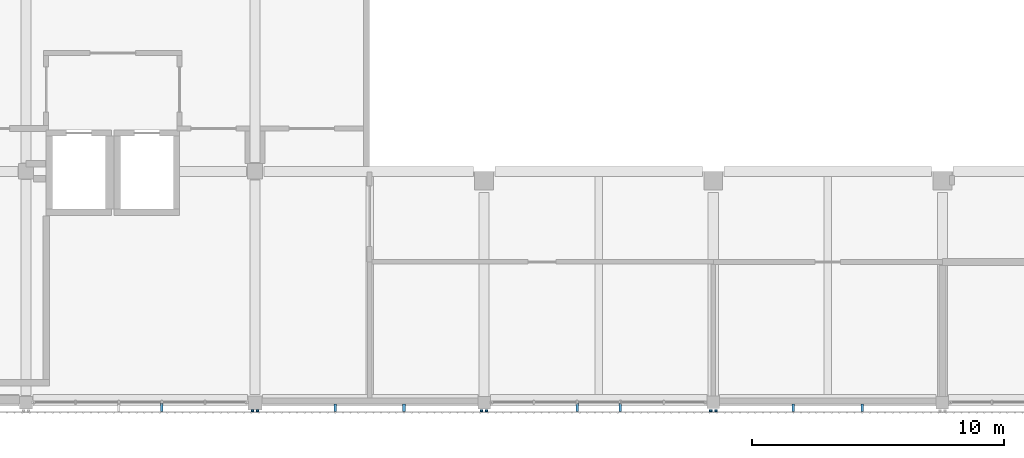
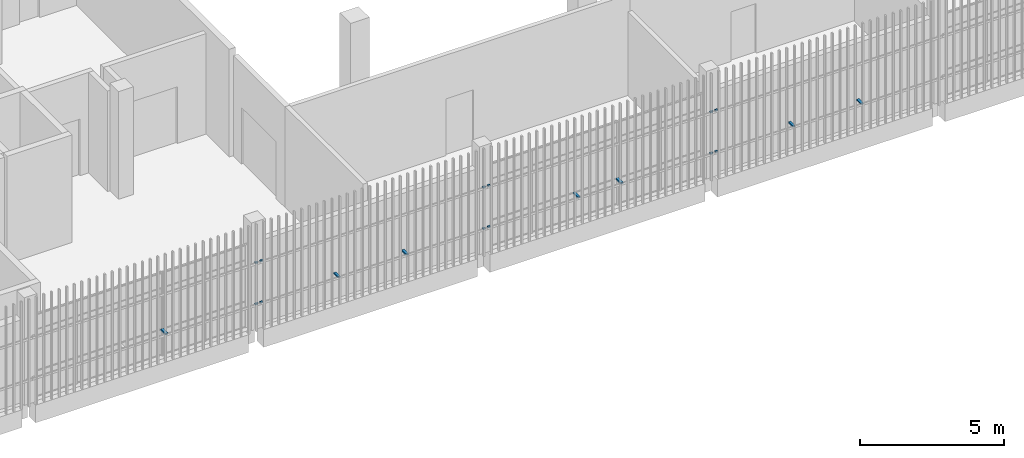
# One storey, part 89 of 124: 19 discrete accessories.
"""IFC4 building model written with IfcOpenShell, lengths in metres."""

from ifc_helpers import new_model, si_unit, direction, frame, origin, origin_2d, place, context, subcontext, project, spatial, rectangle, extrude, material, type_object, element, save


model = new_model("IFC4")

# Units and contexts
model_context = context("Model", 3, precision=1e-05, world=origin(), true_north=direction((0.0, 1.0)))
body_context = subcontext(model_context, "Body", "Model", "MODEL_VIEW")
ifc_project = project(units=[si_unit("LENGTHUNIT", "METRE"), si_unit("AREAUNIT", "SQUARE_METRE"), si_unit("VOLUMEUNIT", "CUBIC_METRE"), si_unit("PLANEANGLEUNIT", "RADIAN"), si_unit("MASSUNIT", "GRAM", prefix="KILO")], contexts=[model_context])

# Site, building, storey
site_placement = place(None, origin())
site = spatial("IfcSite", under=ifc_project, at=site_placement, CompositionType="ELEMENT")
building_placement = place(site_placement, origin())
building = spatial("IfcBuilding", under=site, at=building_placement, Name="Shirokan Park Arena", CompositionType="ELEMENT")
storey_placement = place(building_placement, frame((0.0, 0.0, 20.02001953125)))
storey = spatial("IfcBuildingStorey", under=building, at=storey_placement, Name="L04", CompositionType="ELEMENT", Elevation=20.02001953125)

# Discrete accessories
ifc_material = material(Name="Steel S355", Category="steel")
discrete_accessory_type = type_object("IfcDiscreteAccessoryType", Name="Veil bracket 100x60", PredefinedType="BRACKET", material=ifc_material)
for number, where, z_axis, x_axis, name in (
    (1, (36.300048828125, -0.409912109375, 1.070068359375), (0.0, 0.0, 1.0), (1.0, 0.0, 0.0), "Veil bracket south bay 4 L04 2"),
    (2, (36.300048828125, -0.409912109375, 2.820068359375), (0.0, 0.0, 1.0), (1.0, 0.0, 0.0), "Veil bracket south bay 4 L04 4"),
):
    element("IfcDiscreteAccessory", number, at=place(storey_placement, frame(where, z_axis=z_axis, x_axis=x_axis)), inside=storey, type_object=discrete_accessory_type, Name=name, PredefinedType="BRACKET", context=body_context, shape_type="SweptSolid", body=[
        extrude(rectangle(XDim=0.10009765625, YDim=0.070068359375, at=origin_2d()), origin(), (0.0, 0.0, 1.0), 0.06005859375),
    ])
discrete_accessory_placement = place(storey_placement, frame((32.695068359375, -0.2724609375, 1.070068359375), z_axis=(0.0, 0.0, 1.0), x_axis=(1.0, 0.0, 0.0)))
element("IfcDiscreteAccessory", 3, at=discrete_accessory_placement, inside=storey, type_object=discrete_accessory_type, Name="Veil bracket south bay 4 L04 wall 2", PredefinedType="BRACKET", context=body_context, shape_type="SweptSolid", body=[
    extrude(rectangle(XDim=0.10009765625, YDim=0.344970703125, at=origin_2d()), origin(), (0.0, 0.0, 1.0), 0.06005859375),
])
for number, where, z_axis, x_axis, name in (
    (4, (36.5, -0.409912109375, 1.070068359375), (0.0, 0.0, 1.0), (1.0, 0.0, 0.0), "Veil bracket south bay 5 L04 1"),
    (5, (45.39990234375, -0.409912109375, 1.070068359375), (0.0, 0.0, 1.0), (1.0, 0.0, 0.0), "Veil bracket south bay 5 L04 2"),
    (6, (36.5, -0.409912109375, 2.820068359375), (0.0, 0.0, 1.0), (1.0, 0.0, 0.0), "Veil bracket south bay 5 L04 3"),
    (7, (45.39990234375, -0.409912109375, 2.820068359375), (0.0, 0.0, 1.0), (1.0, 0.0, 0.0), "Veil bracket south bay 5 L04 4"),
):
    element("IfcDiscreteAccessory", number, at=place(storey_placement, frame(where, z_axis=z_axis, x_axis=x_axis)), inside=storey, type_object=discrete_accessory_type, Name=name, PredefinedType="BRACKET", context=body_context, shape_type="SweptSolid", body=[
        extrude(rectangle(XDim=0.10009765625, YDim=0.070068359375, at=origin_2d()), origin(), (0.0, 0.0, 1.0), 0.06005859375),
    ])
for number, where, z_axis, x_axis, name in (
    (8, (39.5849609375, -0.297607421875, 1.070068359375), (0.0, 0.0, 1.0), (1.0, 0.0, 0.0), "Veil bracket south bay 5 L04 wall 1"),
    (9, (42.31494140625, -0.297607421875, 1.070068359375), (0.0, 0.0, 1.0), (1.0, 0.0, 0.0), "Veil bracket south bay 5 L04 wall 2"),
):
    element("IfcDiscreteAccessory", number, at=place(storey_placement, frame(where, z_axis=z_axis, x_axis=x_axis)), inside=storey, type_object=discrete_accessory_type, Name=name, PredefinedType="BRACKET", context=body_context, shape_type="SweptSolid", body=[
        extrude(rectangle(XDim=0.10009765625, YDim=0.294921875, at=origin_2d()), origin(), (0.0, 0.0, 1.0), 0.06005859375),
    ])
for number, where, z_axis, x_axis, name in (
    (10, (45.60009765625, -0.409912109375, 1.070068359375), (0.0, 0.0, 1.0), (1.0, 0.0, 0.0), "Veil bracket south bay 6 L04 1"),
    (11, (54.5, -0.409912109375, 1.070068359375), (0.0, 0.0, 1.0), (1.0, 0.0, 0.0), "Veil bracket south bay 6 L04 2"),
    (12, (45.60009765625, -0.409912109375, 2.820068359375), (0.0, 0.0, 1.0), (1.0, 0.0, 0.0), "Veil bracket south bay 6 L04 3"),
    (13, (54.5, -0.409912109375, 2.820068359375), (0.0, 0.0, 1.0), (1.0, 0.0, 0.0), "Veil bracket south bay 6 L04 4"),
):
    element("IfcDiscreteAccessory", number, at=place(storey_placement, frame(where, z_axis=z_axis, x_axis=x_axis)), inside=storey, type_object=discrete_accessory_type, Name=name, PredefinedType="BRACKET", context=body_context, shape_type="SweptSolid", body=[
        extrude(rectangle(XDim=0.10009765625, YDim=0.070068359375, at=origin_2d()), origin(), (0.0, 0.0, 1.0), 0.06005859375),
    ])
for number, where, z_axis, x_axis, name in (
    (14, (49.18994140625, -0.2724609375, 1.070068359375), (0.0, 0.0, 1.0), (1.0, 0.0, 0.0), "Veil bracket south bay 6 L04 wall 1"),
    (15, (50.909912109375, -0.2724609375, 1.070068359375), (0.0, 0.0, 1.0), (1.0, 0.0, 0.0), "Veil bracket south bay 6 L04 wall 2"),
):
    element("IfcDiscreteAccessory", number, at=place(storey_placement, frame(where, z_axis=z_axis, x_axis=x_axis)), inside=storey, type_object=discrete_accessory_type, Name=name, PredefinedType="BRACKET", context=body_context, shape_type="SweptSolid", body=[
        extrude(rectangle(XDim=0.10009765625, YDim=0.344970703125, at=origin_2d()), origin(), (0.0, 0.0, 1.0), 0.06005859375),
    ])
for number, where, z_axis, x_axis, name in (
    (16, (54.699951171875, -0.409912109375, 1.070068359375), (0.0, 0.0, 1.0), (1.0, 0.0, 0.0), "Veil bracket south bay 7 L04 1"),
    (17, (54.699951171875, -0.409912109375, 2.820068359375), (0.0, 0.0, 1.0), (1.0, 0.0, 0.0), "Veil bracket south bay 7 L04 3"),
):
    element("IfcDiscreteAccessory", number, at=place(storey_placement, frame(where, z_axis=z_axis, x_axis=x_axis)), inside=storey, type_object=discrete_accessory_type, Name=name, PredefinedType="BRACKET", context=body_context, shape_type="SweptSolid", body=[
        extrude(rectangle(XDim=0.10009765625, YDim=0.070068359375, at=origin_2d()), origin(), (0.0, 0.0, 1.0), 0.06005859375),
    ])
for number, where, z_axis, x_axis, name in (
    (18, (57.784912109375, -0.297607421875, 1.070068359375), (0.0, 0.0, 1.0), (1.0, 0.0, 0.0), "Veil bracket south bay 7 L04 wall 1"),
    (19, (60.514892578125, -0.297607421875, 1.070068359375), (0.0, 0.0, 1.0), (1.0, 0.0, 0.0), "Veil bracket south bay 7 L04 wall 2"),
):
    element("IfcDiscreteAccessory", number, at=place(storey_placement, frame(where, z_axis=z_axis, x_axis=x_axis)), inside=storey, type_object=discrete_accessory_type, Name=name, PredefinedType="BRACKET", context=body_context, shape_type="SweptSolid", body=[
        extrude(rectangle(XDim=0.10009765625, YDim=0.294921875, at=origin_2d()), origin(), (0.0, 0.0, 1.0), 0.06005859375),
    ])

save(model, "model.ifc")
